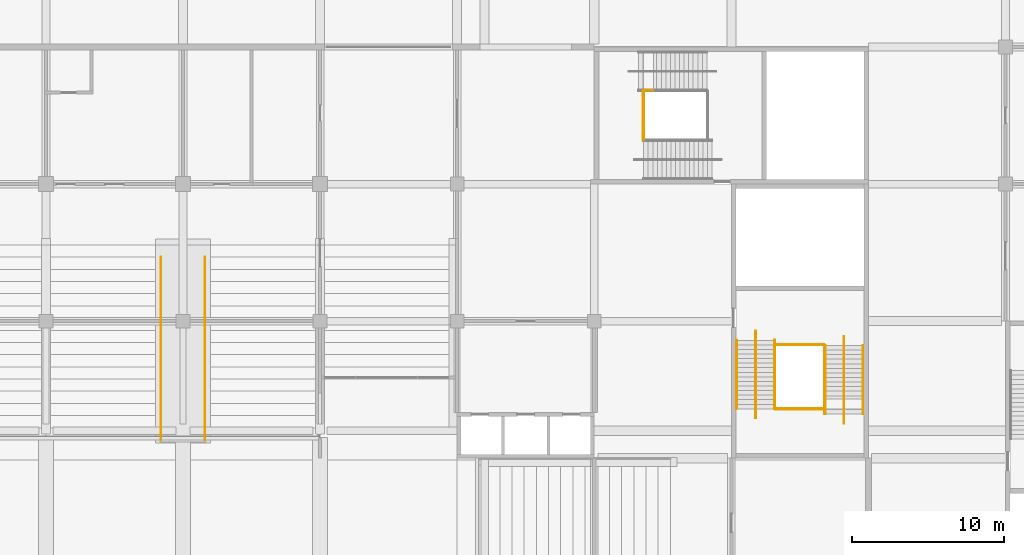
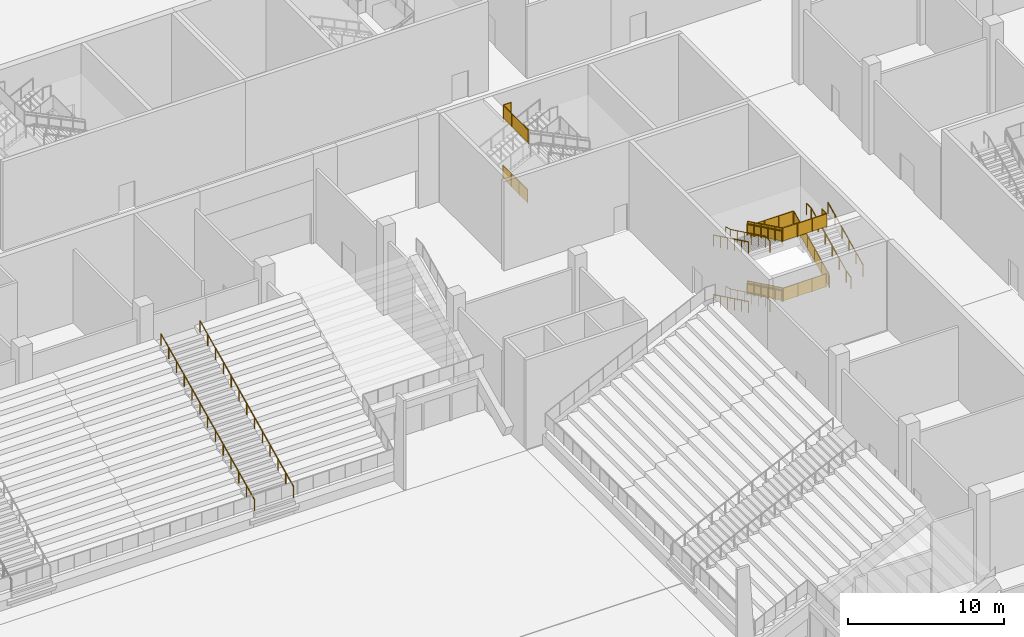
# One storey, part 78 of 92: 19 railings.
"""IFC4 building model written with IfcOpenShell, lengths in metres."""

from ifc_helpers import new_model, si_unit, direction, frame, origin, origin_2d, place, context, subcontext, project, spatial, polyline, circle, outline, extrude, material, type_object, element, save


model = new_model("IFC4")

# Units and contexts
model_context = context("Model", 3, precision=1e-05, world=origin(), true_north=direction((0.0, 1.0)))
body_context = subcontext(model_context, "Body", "Model", "MODEL_VIEW")
ifc_project = project(units=[si_unit("LENGTHUNIT", "METRE"), si_unit("AREAUNIT", "SQUARE_METRE"), si_unit("VOLUMEUNIT", "CUBIC_METRE"), si_unit("PLANEANGLEUNIT", "RADIAN"), si_unit("MASSUNIT", "GRAM", prefix="KILO")], contexts=[model_context])

# Site, building, storey
site_placement = place(None, origin())
site = spatial("IfcSite", under=ifc_project, at=site_placement, CompositionType="ELEMENT")
building_placement = place(site_placement, origin())
building = spatial("IfcBuilding", under=site, at=building_placement, Name="Silverbay Arena", CompositionType="ELEMENT")
storey_placement = place(building_placement, origin())
storey = spatial("IfcBuildingStorey", under=building, at=storey_placement, Name="L00", CompositionType="ELEMENT", Elevation=0.0)

# Railings
ifc_material_1 = material(Name="Stainless steel", Category="steel")
railing_type_1 = type_object("IfcRailingType", Name="Stair guard 1100", PredefinedType="GUARDRAIL", material=ifc_material_1)
railing_1_placement = place(storey_placement, frame((174.193115234375, 119.89990234375, 2.333251953125)))
element("IfcRailing", 1, at=railing_1_placement, inside=storey, type_object=railing_type_1, Name="Stair ST-NE1 L00 to L01 landing 1 guard", PredefinedType="GUARDRAIL", context=body_context, shape_type="SweptSolid", body=[
    extrude(circle(Radius=0.02392578125, at=origin_2d()), frame((0.0, 0.0, 1.076171875), z_axis=(0.0, 1.0, 0.0), x_axis=(-1.0, 0.0, 0.0)), (0.0, 0.0, 1.0), 3.2001953125),
    extrude(outline(polyline([(-0.008056640625, 0.050048828125), (1.07470703125, 0.050048828125), (1.07470703125, 1.052978515625), (-0.008056640625, 1.052978515625), (-0.008056640625, 0.050048828125)])), frame((-0.0029296875, 0.0, 0.0), z_axis=(1.0, 0.0, 0.0), x_axis=(0.0, 1.0, 0.0)), (0.0, 0.0, 1.0), 0.006103515625),
    extrude(outline(polyline([(-0.008056640625, 0.050048828125), (1.07470703125, 0.050048828125), (1.07470703125, 1.052978515625), (-0.008056640625, 1.052978515625), (-0.008056640625, 0.050048828125)])), frame((-0.0029296875, 1.066650390625, 0.0), z_axis=(1.0, 0.0, 0.0), x_axis=(0.0, 1.0, 0.0)), (0.0, 0.0, 1.0), 0.006103515625),
    extrude(outline(polyline([(-0.008056640625, 0.050048828125), (1.07470703125, 0.050048828125), (1.07470703125, 1.052978515625), (-0.008056640625, 1.052978515625), (-0.008056640625, 0.050048828125)])), frame((-0.0029296875, 2.133544921875, 0.0), z_axis=(1.0, 0.0, 0.0), x_axis=(0.0, 1.0, 0.0)), (0.0, 0.0, 1.0), 0.006103515625),
    extrude(circle(Radius=0.02099609375, at=origin_2d()), origin(), (0.0, 0.0, 1.0), 1.052001953125),
    extrude(circle(Radius=0.02099609375, at=origin_2d()), frame((0.0, 1.066650390625, 0.0)), (0.0, 0.0, 1.0), 1.052001953125),
    extrude(circle(Radius=0.02099609375, at=origin_2d()), frame((0.0, 2.133544921875, 0.0)), (0.0, 0.0, 1.0), 1.052001953125),
    extrude(circle(Radius=0.02099609375, at=origin_2d()), frame((0.0, 3.2001953125, 0.0)), (0.0, 0.0, 1.0), 1.052001953125),
])
railing_2_placement = place(storey_placement, frame((174.85009765625, 123.14990234375, 7.0)))
element("IfcRailing", 2, at=railing_2_placement, inside=storey, type_object=railing_type_1, Name="Stair ST-NE1 L00 to L01 landing 3 guard", PredefinedType="GUARDRAIL", context=body_context, shape_type="SweptSolid", body=[
    extrude(circle(Radius=0.02392578125, at=origin_2d()), frame((0.0, 0.0, 1.076171875), z_axis=(-1.0, 0.0, 0.0), x_axis=(0.0, -1.0, 0.0)), (0.0, 0.0, 1.0), 0.60693359375),
    extrude(outline(polyline([(-0.008056640625, 0.050048828125), (0.614990234375, 0.050048828125), (0.614990234375, 1.052978515625), (-0.008056640625, 1.052978515625), (-0.008056640625, 0.050048828125)])), frame((0.0, -0.0029296875, 0.0), z_axis=(0.0, 1.0, 0.0), x_axis=(-1.0, 0.0, 0.0)), (0.0, 0.0, 1.0), 0.006103515625),
    extrude(circle(Radius=0.02392578125, at=origin_2d()), frame((-0.60693359375, 0.0, 1.076171875), z_axis=(0.0, -1.0, 0.0), x_axis=(1.0, 0.0, 0.0)), (0.0, 0.0, 1.0), 3.25),
    extrude(outline(polyline([(-0.008056640625, 0.050048828125), (1.09130859375, 0.050048828125), (1.09130859375, 1.052978515625), (-0.008056640625, 1.052978515625), (-0.008056640625, 0.050048828125)])), frame((-0.60400390625, 0.0, 0.0), z_axis=(-1.0, 0.0, 0.0), x_axis=(0.0, -1.0, 0.0)), (0.0, 0.0, 1.0), 0.006103515625),
    extrude(outline(polyline([(-0.008056640625, 0.050048828125), (1.09130859375, 0.050048828125), (1.09130859375, 1.052978515625), (-0.008056640625, 1.052978515625), (-0.008056640625, 0.050048828125)])), frame((-0.60400390625, -1.083251953125, 0.0), z_axis=(-1.0, 0.0, 0.0), x_axis=(0.0, -1.0, 0.0)), (0.0, 0.0, 1.0), 0.006103515625),
    extrude(outline(polyline([(-0.008056640625, 0.050048828125), (1.09130859375, 0.050048828125), (1.09130859375, 1.052978515625), (-0.008056640625, 1.052978515625), (-0.008056640625, 0.050048828125)])), frame((-0.60400390625, -2.166748046875, 0.0), z_axis=(-1.0, 0.0, 0.0), x_axis=(0.0, -1.0, 0.0)), (0.0, 0.0, 1.0), 0.006103515625),
    extrude(circle(Radius=0.02099609375, at=origin_2d()), origin(), (0.0, 0.0, 1.0), 1.052001953125),
    extrude(circle(Radius=0.02099609375, at=origin_2d()), frame((-0.60693359375, 0.0, 0.0)), (0.0, 0.0, 1.0), 1.052001953125),
    extrude(circle(Radius=0.02099609375, at=origin_2d()), frame((-0.60693359375, -1.083251953125, 0.0)), (0.0, 0.0, 1.0), 1.052001953125),
    extrude(circle(Radius=0.02099609375, at=origin_2d()), frame((-0.60693359375, -2.166748046875, 0.0)), (0.0, 0.0, 1.0), 1.052001953125),
    extrude(circle(Radius=0.02099609375, at=origin_2d()), frame((-0.60693359375, -3.25, 0.0)), (0.0, 0.0, 1.0), 1.052001953125),
])
railing_3_placement = place(storey_placement, frame((182.875, 106.7431640625, 0.145751953125)))
element("IfcRailing", 3, at=railing_3_placement, inside=storey, type_object=railing_type_1, Name="Stair ST-NE2 L00 to L01 flight 1 guard right", PredefinedType="GUARDRAIL", context=body_context, shape_type="SweptSolid", body=[
    extrude(circle(Radius=0.02392578125, at=origin_2d()), frame((0.0, 0.0, 1.076171875), z_axis=(0.0, -0.899367854138, 0.437192706873), x_axis=(1.0, 0.0, 0.0)), (0.0, 0.0, 1.0), 5.00341796875),
    extrude(outline(polyline([(-0.008056640625, 0.046142578125), (0.907958984375, 0.491455078125), (0.907958984375, 1.494384765625), (-0.008056640625, 1.049072265625), (-0.008056640625, 0.046142578125)])), frame((0.0029296875, 0.0, 0.0), z_axis=(-1.0, 0.0, 0.0), x_axis=(0.0, -1.0, 0.0)), (0.0, 0.0, 1.0), 0.006103515625),
    extrude(outline(polyline([(-0.008056640625, 0.483642578125), (0.907958984375, 0.928955078125), (0.907958984375, 1.931884765625), (-0.008056640625, 1.486572265625), (-0.008056640625, 0.483642578125)])), frame((0.0029296875, -0.89990234375, 0.0), z_axis=(-1.0, 0.0, 0.0), x_axis=(0.0, -1.0, 0.0)), (0.0, 0.0, 1.0), 0.006103515625),
    extrude(outline(polyline([(-0.008056640625, 0.921142578125), (0.907958984375, 1.366455078125), (0.907958984375, 2.369384765625), (-0.008056640625, 1.924072265625), (-0.008056640625, 0.921142578125)])), frame((0.0029296875, -1.800048828125, 0.0), z_axis=(-1.0, 0.0, 0.0), x_axis=(0.0, -1.0, 0.0)), (0.0, 0.0, 1.0), 0.006103515625),
    extrude(outline(polyline([(-0.008056640625, 1.358642578125), (0.907958984375, 1.803955078125), (0.907958984375, 2.806884765625), (-0.008056640625, 2.361572265625), (-0.008056640625, 1.358642578125)])), frame((0.0029296875, -2.699951171875, 0.0), z_axis=(-1.0, 0.0, 0.0), x_axis=(0.0, -1.0, 0.0)), (0.0, 0.0, 1.0), 0.006103515625),
    extrude(outline(polyline([(-0.008056640625, 1.796142578125), (0.907958984375, 2.241455078125), (0.907958984375, 3.244384765625), (-0.008056640625, 2.799072265625), (-0.008056640625, 1.796142578125)])), frame((0.0029296875, -3.60009765625, 0.0), z_axis=(-1.0, 0.0, 0.0), x_axis=(0.0, -1.0, 0.0)), (0.0, 0.0, 1.0), 0.006103515625),
    extrude(circle(Radius=0.02099609375, at=origin_2d()), origin(), (0.0, 0.0, 1.0), 1.052001953125),
    extrude(circle(Radius=0.02099609375, at=origin_2d()), frame((0.0, -0.89990234375, 0.4375)), (0.0, 0.0, 1.0), 1.052001953125),
    extrude(circle(Radius=0.02099609375, at=origin_2d()), frame((0.0, -1.800048828125, 0.875)), (0.0, 0.0, 1.0), 1.052001953125),
    extrude(circle(Radius=0.02099609375, at=origin_2d()), frame((0.0, -2.699951171875, 1.3125)), (0.0, 0.0, 1.0), 1.052001953125),
    extrude(circle(Radius=0.02099609375, at=origin_2d()), frame((0.0, -3.60009765625, 1.75)), (0.0, 0.0, 1.0), 1.052001953125),
    extrude(circle(Radius=0.02099609375, at=origin_2d()), frame((0.0, -4.5, 2.1875)), (0.0, 0.0, 1.0), 1.052001953125),
])
railing_4_placement = place(storey_placement, frame((186.125, 101.89990234375, 2.479248046875)))
element("IfcRailing", 4, at=railing_4_placement, inside=storey, type_object=railing_type_1, Name="Stair ST-NE2 L00 to L01 flight 2 guard left", PredefinedType="GUARDRAIL", context=body_context, shape_type="SweptSolid", body=[
    extrude(circle(Radius=0.02392578125, at=origin_2d()), frame((0.0, 0.0, 1.076171875), z_axis=(0.0, 0.899367854138, 0.437192706873), x_axis=(-1.0, 0.0, 0.0)), (0.0, 0.0, 1.0), 5.00341796875),
    extrude(outline(polyline([(-0.008056640625, 0.046142578125), (0.907958984375, 0.491455078125), (0.907958984375, 1.494384765625), (-0.008056640625, 1.049072265625), (-0.008056640625, 0.046142578125)])), frame((-0.0029296875, 0.0, 0.0), z_axis=(1.0, 0.0, 0.0), x_axis=(0.0, 1.0, 0.0)), (0.0, 0.0, 1.0), 0.006103515625),
    extrude(outline(polyline([(-0.008056640625, 0.483642578125), (0.907958984375, 0.928955078125), (0.907958984375, 1.931884765625), (-0.008056640625, 1.486572265625), (-0.008056640625, 0.483642578125)])), frame((-0.0029296875, 0.89990234375, 0.0), z_axis=(1.0, 0.0, 0.0), x_axis=(0.0, 1.0, 0.0)), (0.0, 0.0, 1.0), 0.006103515625),
    extrude(outline(polyline([(-0.008056640625, 0.921142578125), (0.907958984375, 1.366455078125), (0.907958984375, 2.369384765625), (-0.008056640625, 1.924072265625), (-0.008056640625, 0.921142578125)])), frame((-0.0029296875, 1.800048828125, 0.0), z_axis=(1.0, 0.0, 0.0), x_axis=(0.0, 1.0, 0.0)), (0.0, 0.0, 1.0), 0.006103515625),
    extrude(outline(polyline([(-0.008056640625, 1.358642578125), (0.907958984375, 1.803955078125), (0.907958984375, 2.806884765625), (-0.008056640625, 2.361572265625), (-0.008056640625, 1.358642578125)])), frame((-0.0029296875, 2.699951171875, 0.0), z_axis=(1.0, 0.0, 0.0), x_axis=(0.0, 1.0, 0.0)), (0.0, 0.0, 1.0), 0.006103515625),
    extrude(outline(polyline([(-0.008056640625, 1.796142578125), (0.907958984375, 2.241455078125), (0.907958984375, 3.244384765625), (-0.008056640625, 2.799072265625), (-0.008056640625, 1.796142578125)])), frame((-0.0029296875, 3.60009765625, 0.0), z_axis=(1.0, 0.0, 0.0), x_axis=(0.0, 1.0, 0.0)), (0.0, 0.0, 1.0), 0.006103515625),
    extrude(circle(Radius=0.02099609375, at=origin_2d()), origin(), (0.0, 0.0, 1.0), 1.052001953125),
    extrude(circle(Radius=0.02099609375, at=origin_2d()), frame((0.0, 0.89990234375, 0.4375)), (0.0, 0.0, 1.0), 1.052001953125),
    extrude(circle(Radius=0.02099609375, at=origin_2d()), frame((0.0, 1.800048828125, 0.875)), (0.0, 0.0, 1.0), 1.052001953125),
    extrude(circle(Radius=0.02099609375, at=origin_2d()), frame((0.0, 2.699951171875, 1.3125)), (0.0, 0.0, 1.0), 1.052001953125),
    extrude(circle(Radius=0.02099609375, at=origin_2d()), frame((0.0, 3.60009765625, 1.75)), (0.0, 0.0, 1.0), 1.052001953125),
    extrude(circle(Radius=0.02099609375, at=origin_2d()), frame((0.0, 4.5, 2.1875)), (0.0, 0.0, 1.0), 1.052001953125),
])
railing_5_placement = place(storey_placement, frame((182.875, 106.7431640625, 4.8125)))
element("IfcRailing", 5, at=railing_5_placement, inside=storey, type_object=railing_type_1, Name="Stair ST-NE2 L00 to L01 flight 3 guard right", PredefinedType="GUARDRAIL", context=body_context, shape_type="SweptSolid", body=[
    extrude(circle(Radius=0.02392578125, at=origin_2d()), frame((0.0, 0.0, 1.076171875), z_axis=(0.0, -0.899367854138, 0.437192706873), x_axis=(1.0, 0.0, 0.0)), (0.0, 0.0, 1.0), 5.00341796875),
    extrude(outline(polyline([(-0.008056640625, 0.046142578125), (0.907958984375, 0.491455078125), (0.907958984375, 1.494384765625), (-0.008056640625, 1.049072265625), (-0.008056640625, 0.046142578125)])), frame((0.0029296875, 0.0, 0.0), z_axis=(-1.0, 0.0, 0.0), x_axis=(0.0, -1.0, 0.0)), (0.0, 0.0, 1.0), 0.006103515625),
    extrude(outline(polyline([(-0.008056640625, 0.483642578125), (0.907958984375, 0.928955078125), (0.907958984375, 1.931884765625), (-0.008056640625, 1.486572265625), (-0.008056640625, 0.483642578125)])), frame((0.0029296875, -0.89990234375, 0.0), z_axis=(-1.0, 0.0, 0.0), x_axis=(0.0, -1.0, 0.0)), (0.0, 0.0, 1.0), 0.006103515625),
    extrude(outline(polyline([(-0.008056640625, 0.921142578125), (0.907958984375, 1.366455078125), (0.907958984375, 2.369384765625), (-0.008056640625, 1.924072265625), (-0.008056640625, 0.921142578125)])), frame((0.0029296875, -1.800048828125, 0.0), z_axis=(-1.0, 0.0, 0.0), x_axis=(0.0, -1.0, 0.0)), (0.0, 0.0, 1.0), 0.006103515625),
    extrude(outline(polyline([(-0.008056640625, 1.358642578125), (0.907958984375, 1.803955078125), (0.907958984375, 2.806884765625), (-0.008056640625, 2.361572265625), (-0.008056640625, 1.358642578125)])), frame((0.0029296875, -2.699951171875, 0.0), z_axis=(-1.0, 0.0, 0.0), x_axis=(0.0, -1.0, 0.0)), (0.0, 0.0, 1.0), 0.006103515625),
    extrude(outline(polyline([(-0.008056640625, 1.796142578125), (0.907958984375, 2.241455078125), (0.907958984375, 3.244384765625), (-0.008056640625, 2.799072265625), (-0.008056640625, 1.796142578125)])), frame((0.0029296875, -3.60009765625, 0.0), z_axis=(-1.0, 0.0, 0.0), x_axis=(0.0, -1.0, 0.0)), (0.0, 0.0, 1.0), 0.006103515625),
    extrude(circle(Radius=0.02099609375, at=origin_2d()), origin(), (0.0, 0.0, 1.0), 1.052001953125),
    extrude(circle(Radius=0.02099609375, at=origin_2d()), frame((0.0, -0.89990234375, 0.4375)), (0.0, 0.0, 1.0), 1.052001953125),
    extrude(circle(Radius=0.02099609375, at=origin_2d()), frame((0.0, -1.800048828125, 0.875)), (0.0, 0.0, 1.0), 1.052001953125),
    extrude(circle(Radius=0.02099609375, at=origin_2d()), frame((0.0, -2.699951171875, 1.3125)), (0.0, 0.0, 1.0), 1.052001953125),
    extrude(circle(Radius=0.02099609375, at=origin_2d()), frame((0.0, -3.60009765625, 1.75)), (0.0, 0.0, 1.0), 1.052001953125),
    extrude(circle(Radius=0.02099609375, at=origin_2d()), frame((0.0, -4.5, 2.1875)), (0.0, 0.0, 1.0), 1.052001953125),
])
for number, where, name in (
    (6, (182.89990234375, 102.193115234375, 2.333251953125), "Stair ST-NE2 L00 to L01 landing 1 guard"),
    (7, (182.89990234375, 106.449951171875, 4.666748046875), "Stair ST-NE2 L00 to L01 landing 2 guard"),
):
    element("IfcRailing", number, at=place(storey_placement, frame(where)), inside=storey, type_object=railing_type_1, Name=name, PredefinedType="GUARDRAIL", context=body_context, shape_type="SweptSolid", body=[
        extrude(circle(Radius=0.02392578125, at=origin_2d()), frame((0.0, 0.0, 1.076171875), z_axis=(1.0, 0.0, 0.0), x_axis=(0.0, 1.0, 0.0)), (0.0, 0.0, 1.0), 3.2001953125),
        extrude(outline(polyline([(-0.008056640625, 0.050048828125), (1.07470703125, 0.050048828125), (1.07470703125, 1.052978515625), (-0.008056640625, 1.052978515625), (-0.008056640625, 0.050048828125)])), frame((0.0, 0.0029296875, 0.0), z_axis=(0.0, -1.0, 0.0), x_axis=(1.0, 0.0, 0.0)), (0.0, 0.0, 1.0), 0.006103515625),
        extrude(outline(polyline([(-0.008056640625, 0.050048828125), (1.07470703125, 0.050048828125), (1.07470703125, 1.052978515625), (-0.008056640625, 1.052978515625), (-0.008056640625, 0.050048828125)])), frame((1.066650390625, 0.0029296875, 0.0), z_axis=(0.0, -1.0, 0.0), x_axis=(1.0, 0.0, 0.0)), (0.0, 0.0, 1.0), 0.006103515625),
        extrude(outline(polyline([(-0.008056640625, 0.050048828125), (1.07470703125, 0.050048828125), (1.07470703125, 1.052978515625), (-0.008056640625, 1.052978515625), (-0.008056640625, 0.050048828125)])), frame((2.133544921875, 0.0029296875, 0.0), z_axis=(0.0, -1.0, 0.0), x_axis=(1.0, 0.0, 0.0)), (0.0, 0.0, 1.0), 0.006103515625),
        extrude(circle(Radius=0.02099609375, at=origin_2d()), origin(), (0.0, 0.0, 1.0), 1.052001953125),
        extrude(circle(Radius=0.02099609375, at=origin_2d()), frame((1.066650390625, 0.0, 0.0)), (0.0, 0.0, 1.0), 1.052001953125),
        extrude(circle(Radius=0.02099609375, at=origin_2d()), frame((2.133544921875, 0.0, 0.0)), (0.0, 0.0, 1.0), 1.052001953125),
        extrude(circle(Radius=0.02099609375, at=origin_2d()), frame((3.2001953125, 0.0, 0.0)), (0.0, 0.0, 1.0), 1.052001953125),
    ])
railing_6_placement = place(storey_placement, frame((186.14990234375, 102.85009765625, 7.0)))
element("IfcRailing", 8, at=railing_6_placement, inside=storey, type_object=railing_type_1, Name="Stair ST-NE2 L00 to L01 landing 3 guard", PredefinedType="GUARDRAIL", context=body_context, shape_type="SweptSolid", body=[
    extrude(circle(Radius=0.02392578125, at=origin_2d()), frame((0.0, 0.0, 1.076171875), z_axis=(0.0, -1.0, 0.0), x_axis=(1.0, 0.0, 0.0)), (0.0, 0.0, 1.0), 0.60693359375),
    extrude(outline(polyline([(-0.008056640625, 0.050048828125), (0.614990234375, 0.050048828125), (0.614990234375, 1.052978515625), (-0.008056640625, 1.052978515625), (-0.008056640625, 0.050048828125)])), frame((0.0029296875, 0.0, 0.0), z_axis=(-1.0, 0.0, 0.0), x_axis=(0.0, -1.0, 0.0)), (0.0, 0.0, 1.0), 0.006103515625),
    extrude(circle(Radius=0.02392578125, at=origin_2d()), frame((0.0, -0.60693359375, 1.076171875), z_axis=(-1.0, 0.0, 0.0), x_axis=(0.0, -1.0, 0.0)), (0.0, 0.0, 1.0), 3.25),
    extrude(outline(polyline([(-0.008056640625, 0.050048828125), (1.09130859375, 0.050048828125), (1.09130859375, 1.052978515625), (-0.008056640625, 1.052978515625), (-0.008056640625, 0.050048828125)])), frame((0.0, -0.60986328125, 0.0), z_axis=(0.0, 1.0, 0.0), x_axis=(-1.0, 0.0, 0.0)), (0.0, 0.0, 1.0), 0.006103515625),
    extrude(outline(polyline([(-0.008056640625, 0.050048828125), (1.09130859375, 0.050048828125), (1.09130859375, 1.052978515625), (-0.008056640625, 1.052978515625), (-0.008056640625, 0.050048828125)])), frame((-1.083251953125, -0.60986328125, 0.0), z_axis=(0.0, 1.0, 0.0), x_axis=(-1.0, 0.0, 0.0)), (0.0, 0.0, 1.0), 0.006103515625),
    extrude(outline(polyline([(-0.008056640625, 0.050048828125), (1.09130859375, 0.050048828125), (1.09130859375, 1.052978515625), (-0.008056640625, 1.052978515625), (-0.008056640625, 0.050048828125)])), frame((-2.166748046875, -0.60986328125, 0.0), z_axis=(0.0, 1.0, 0.0), x_axis=(-1.0, 0.0, 0.0)), (0.0, 0.0, 1.0), 0.006103515625),
    extrude(circle(Radius=0.02099609375, at=origin_2d()), origin(), (0.0, 0.0, 1.0), 1.052001953125),
    extrude(circle(Radius=0.02099609375, at=origin_2d()), frame((0.0, -0.60693359375, 0.0)), (0.0, 0.0, 1.0), 1.052001953125),
    extrude(circle(Radius=0.02099609375, at=origin_2d()), frame((-1.083251953125, -0.60693359375, 0.0)), (0.0, 0.0, 1.0), 1.052001953125),
    extrude(circle(Radius=0.02099609375, at=origin_2d()), frame((-2.166748046875, -0.60693359375, 0.0)), (0.0, 0.0, 1.0), 1.052001953125),
    extrude(circle(Radius=0.02099609375, at=origin_2d()), frame((-3.25, -0.60693359375, 0.0)), (0.0, 0.0, 1.0), 1.052001953125),
])
ifc_material_2 = material(Name="Stainless steel", Category="steel")
railing_type_2 = type_object("IfcRailingType", Name="Stair handrail 900", PredefinedType="HANDRAIL", material=ifc_material_2)
for number, where, name in (
    (9, (180.35009765625, 106.7431640625, 0.145751953125), "Stair ST-NE2 L00 to L01 flight 1 handrail left"),
    (10, (182.8359375, 106.7431640625, 0.145751953125), "Stair ST-NE2 L00 to L01 flight 1 handrail right"),
):
    element("IfcRailing", number, at=place(storey_placement, frame(where)), inside=storey, type_object=railing_type_2, Name=name, PredefinedType="HANDRAIL", context=body_context, shape_type="SweptSolid", body=[
        extrude(circle(Radius=0.02392578125, at=origin_2d()), frame((0.0, 0.0, 0.8759765625), z_axis=(0.0, -0.899367854138, 0.437192706873), x_axis=(1.0, 0.0, 0.0)), (0.0, 0.0, 1.0), 5.00341796875),
        extrude(circle(Radius=0.02099609375, at=origin_2d()), origin(), (0.0, 0.0, 1.0), 0.851806640625),
        extrude(circle(Radius=0.02099609375, at=origin_2d()), frame((0.0, -0.89990234375, 0.4375)), (0.0, 0.0, 1.0), 0.851806640625),
        extrude(circle(Radius=0.02099609375, at=origin_2d()), frame((0.0, -1.800048828125, 0.875)), (0.0, 0.0, 1.0), 0.851806640625),
        extrude(circle(Radius=0.02099609375, at=origin_2d()), frame((0.0, -2.699951171875, 1.3125)), (0.0, 0.0, 1.0), 0.851806640625),
        extrude(circle(Radius=0.02099609375, at=origin_2d()), frame((0.0, -3.60009765625, 1.75)), (0.0, 0.0, 1.0), 0.851806640625),
        extrude(circle(Radius=0.02099609375, at=origin_2d()), frame((0.0, -4.5, 2.1875)), (0.0, 0.0, 1.0), 0.851806640625),
    ])
railing_7_placement = place(storey_placement, frame((181.60009765625, 107.343017578125, 0.0)))
element("IfcRailing", 11, at=railing_7_placement, inside=storey, type_object=railing_type_2, Name="Stair ST-NE2 L00 to L01 flight 1 central handrail", PredefinedType="HANDRAIL", context=body_context, shape_type="SweptSolid", body=[
    extrude(circle(Radius=0.02392578125, at=origin_2d()), frame((0.0, 0.0, 0.8759765625), z_axis=(0.0, -0.971726487806, 0.23610936639), x_axis=(1.0, 0.0, 0.0)), (0.0, 0.0, 1.0), 0.6171875),
    extrude(circle(Radius=0.02392578125, at=origin_2d()), frame((0.0, -0.599853515625, 1.021484375), z_axis=(0.0, -0.899367854138, 0.437192706873), x_axis=(1.0, 0.0, 0.0)), (0.0, 0.0, 1.0), 5.00341796875),
    extrude(circle(Radius=0.02392578125, at=origin_2d()), frame((0.0, -5.099853515625, 3.208984375), z_axis=(0.0, -1.0, 0.0), x_axis=(1.0, 0.0, 0.0)), (0.0, 0.0, 1.0), 0.60009765625),
    extrude(circle(Radius=0.02099609375, at=origin_2d()), origin(), (0.0, 0.0, 1.0), 0.851806640625),
    extrude(circle(Radius=0.02099609375, at=origin_2d()), frame((0.0, -0.599853515625, 0.145751953125)), (0.0, 0.0, 1.0), 0.851806640625),
    extrude(circle(Radius=0.02099609375, at=origin_2d()), frame((0.0, -1.499755859375, 0.583251953125)), (0.0, 0.0, 1.0), 0.851806640625),
    extrude(circle(Radius=0.02099609375, at=origin_2d()), frame((0.0, -2.39990234375, 1.020751953125)), (0.0, 0.0, 1.0), 0.851806640625),
    extrude(circle(Radius=0.02099609375, at=origin_2d()), frame((0.0, -3.2998046875, 1.458251953125)), (0.0, 0.0, 1.0), 0.851806640625),
    extrude(circle(Radius=0.02099609375, at=origin_2d()), frame((0.0, -4.199951171875, 1.895751953125)), (0.0, 0.0, 1.0), 0.851806640625),
    extrude(circle(Radius=0.02099609375, at=origin_2d()), frame((0.0, -5.099853515625, 2.333251953125)), (0.0, 0.0, 1.0), 0.851806640625),
    extrude(circle(Radius=0.02099609375, at=origin_2d()), frame((0.0, -5.699951171875, 2.333251953125)), (0.0, 0.0, 1.0), 0.851806640625),
])
for number, where, name in (
    (12, (186.1640625, 101.89990234375, 2.479248046875), "Stair ST-NE2 L00 to L01 flight 2 handrail left"),
    (13, (188.64990234375, 101.89990234375, 2.479248046875), "Stair ST-NE2 L00 to L01 flight 2 handrail right"),
):
    element("IfcRailing", number, at=place(storey_placement, frame(where)), inside=storey, type_object=railing_type_2, Name=name, PredefinedType="HANDRAIL", context=body_context, shape_type="SweptSolid", body=[
        extrude(circle(Radius=0.02392578125, at=origin_2d()), frame((0.0, 0.0, 0.8759765625), z_axis=(0.0, 0.899367854138, 0.437192706873), x_axis=(-1.0, 0.0, 0.0)), (0.0, 0.0, 1.0), 5.00341796875),
        extrude(circle(Radius=0.02099609375, at=origin_2d()), origin(), (0.0, 0.0, 1.0), 0.851806640625),
        extrude(circle(Radius=0.02099609375, at=origin_2d()), frame((0.0, 0.89990234375, 0.4375)), (0.0, 0.0, 1.0), 0.851806640625),
        extrude(circle(Radius=0.02099609375, at=origin_2d()), frame((0.0, 1.800048828125, 0.875)), (0.0, 0.0, 1.0), 0.851806640625),
        extrude(circle(Radius=0.02099609375, at=origin_2d()), frame((0.0, 2.699951171875, 1.3125)), (0.0, 0.0, 1.0), 0.851806640625),
        extrude(circle(Radius=0.02099609375, at=origin_2d()), frame((0.0, 3.60009765625, 1.75)), (0.0, 0.0, 1.0), 0.851806640625),
        extrude(circle(Radius=0.02099609375, at=origin_2d()), frame((0.0, 4.5, 2.1875)), (0.0, 0.0, 1.0), 0.851806640625),
    ])
railing_8_placement = place(storey_placement, frame((187.39990234375, 101.300048828125, 2.333251953125)))
element("IfcRailing", 14, at=railing_8_placement, inside=storey, type_object=railing_type_2, Name="Stair ST-NE2 L00 to L01 flight 2 central handrail", PredefinedType="HANDRAIL", context=body_context, shape_type="SweptSolid", body=[
    extrude(circle(Radius=0.02392578125, at=origin_2d()), frame((0.0, 0.0, 0.8759765625), z_axis=(0.0, 0.971635685089, 0.236482759334), x_axis=(-1.0, 0.0, 0.0)), (0.0, 0.0, 1.0), 0.617431640625),
    extrude(circle(Radius=0.02392578125, at=origin_2d()), frame((0.0, 0.599853515625, 1.02197265625), z_axis=(0.0, 0.899367854138, 0.437192706873), x_axis=(-1.0, 0.0, 0.0)), (0.0, 0.0, 1.0), 5.00341796875),
    extrude(circle(Radius=0.02392578125, at=origin_2d()), frame((0.0, 5.099853515625, 3.20947265625), z_axis=(0.0, 1.0, 0.0), x_axis=(-1.0, 0.0, 0.0)), (0.0, 0.0, 1.0), 0.60009765625),
    extrude(circle(Radius=0.02099609375, at=origin_2d()), origin(), (0.0, 0.0, 1.0), 0.851806640625),
    extrude(circle(Radius=0.02099609375, at=origin_2d()), frame((0.0, 0.599853515625, 0.14599609375)), (0.0, 0.0, 1.0), 0.851806640625),
    extrude(circle(Radius=0.02099609375, at=origin_2d()), frame((0.0, 1.499755859375, 0.58349609375)), (0.0, 0.0, 1.0), 0.851806640625),
    extrude(circle(Radius=0.02099609375, at=origin_2d()), frame((0.0, 2.39990234375, 1.02099609375)), (0.0, 0.0, 1.0), 0.851806640625),
    extrude(circle(Radius=0.02099609375, at=origin_2d()), frame((0.0, 3.2998046875, 1.45849609375)), (0.0, 0.0, 1.0), 0.851806640625),
    extrude(circle(Radius=0.02099609375, at=origin_2d()), frame((0.0, 4.199951171875, 1.89599609375)), (0.0, 0.0, 1.0), 0.851806640625),
    extrude(circle(Radius=0.02099609375, at=origin_2d()), frame((0.0, 5.099853515625, 2.33349609375)), (0.0, 0.0, 1.0), 0.851806640625),
    extrude(circle(Radius=0.02099609375, at=origin_2d()), frame((0.0, 5.699951171875, 2.33349609375)), (0.0, 0.0, 1.0), 0.851806640625),
])
for number, where, name in (
    (15, (180.35009765625, 106.7431640625, 4.8125), "Stair ST-NE2 L00 to L01 flight 3 handrail left"),
    (16, (182.8359375, 106.7431640625, 4.8125), "Stair ST-NE2 L00 to L01 flight 3 handrail right"),
):
    element("IfcRailing", number, at=place(storey_placement, frame(where)), inside=storey, type_object=railing_type_2, Name=name, PredefinedType="HANDRAIL", context=body_context, shape_type="SweptSolid", body=[
        extrude(circle(Radius=0.02392578125, at=origin_2d()), frame((0.0, 0.0, 0.8759765625), z_axis=(0.0, -0.899367854138, 0.437192706873), x_axis=(1.0, 0.0, 0.0)), (0.0, 0.0, 1.0), 5.00341796875),
        extrude(circle(Radius=0.02099609375, at=origin_2d()), origin(), (0.0, 0.0, 1.0), 0.851806640625),
        extrude(circle(Radius=0.02099609375, at=origin_2d()), frame((0.0, -0.89990234375, 0.4375)), (0.0, 0.0, 1.0), 0.851806640625),
        extrude(circle(Radius=0.02099609375, at=origin_2d()), frame((0.0, -1.800048828125, 0.875)), (0.0, 0.0, 1.0), 0.851806640625),
        extrude(circle(Radius=0.02099609375, at=origin_2d()), frame((0.0, -2.699951171875, 1.3125)), (0.0, 0.0, 1.0), 0.851806640625),
        extrude(circle(Radius=0.02099609375, at=origin_2d()), frame((0.0, -3.60009765625, 1.75)), (0.0, 0.0, 1.0), 0.851806640625),
        extrude(circle(Radius=0.02099609375, at=origin_2d()), frame((0.0, -4.5, 2.1875)), (0.0, 0.0, 1.0), 0.851806640625),
    ])
railing_9_placement = place(storey_placement, frame((181.60009765625, 107.343017578125, 4.666748046875)))
element("IfcRailing", 17, at=railing_9_placement, inside=storey, type_object=railing_type_2, Name="Stair ST-NE2 L00 to L01 flight 3 central handrail", PredefinedType="HANDRAIL", context=body_context, shape_type="SweptSolid", body=[
    extrude(circle(Radius=0.02392578125, at=origin_2d()), frame((0.0, 0.0, 0.8759765625), z_axis=(0.0, -0.971726487806, 0.23610936639), x_axis=(1.0, 0.0, 0.0)), (0.0, 0.0, 1.0), 0.6171875),
    extrude(circle(Radius=0.02392578125, at=origin_2d()), frame((0.0, -0.599853515625, 1.021484375), z_axis=(0.0, -0.899367854138, 0.437192706873), x_axis=(1.0, 0.0, 0.0)), (0.0, 0.0, 1.0), 5.00341796875),
    extrude(circle(Radius=0.02392578125, at=origin_2d()), frame((0.0, -5.099853515625, 3.208984375), z_axis=(0.0, -1.0, 0.0), x_axis=(1.0, 0.0, 0.0)), (0.0, 0.0, 1.0), 0.60009765625),
    extrude(circle(Radius=0.02099609375, at=origin_2d()), origin(), (0.0, 0.0, 1.0), 0.851806640625),
    extrude(circle(Radius=0.02099609375, at=origin_2d()), frame((0.0, -0.599853515625, 0.145751953125)), (0.0, 0.0, 1.0), 0.851806640625),
    extrude(circle(Radius=0.02099609375, at=origin_2d()), frame((0.0, -1.499755859375, 0.583251953125)), (0.0, 0.0, 1.0), 0.851806640625),
    extrude(circle(Radius=0.02099609375, at=origin_2d()), frame((0.0, -2.39990234375, 1.020751953125)), (0.0, 0.0, 1.0), 0.851806640625),
    extrude(circle(Radius=0.02099609375, at=origin_2d()), frame((0.0, -3.2998046875, 1.458251953125)), (0.0, 0.0, 1.0), 0.851806640625),
    extrude(circle(Radius=0.02099609375, at=origin_2d()), frame((0.0, -4.199951171875, 1.895751953125)), (0.0, 0.0, 1.0), 0.851806640625),
    extrude(circle(Radius=0.02099609375, at=origin_2d()), frame((0.0, -5.099853515625, 2.333251953125)), (0.0, 0.0, 1.0), 0.851806640625),
    extrude(circle(Radius=0.02099609375, at=origin_2d()), frame((0.0, -5.699951171875, 2.333251953125)), (0.0, 0.0, 1.0), 0.851806640625),
])
railing_10_placement = place(storey_placement, frame((142.550048828125, 100.199951171875, 1.300048828125)))
element("IfcRailing", 18, at=railing_10_placement, inside=storey, type_object=railing_type_2, Name="Vomitory stair V06 handrail left", PredefinedType="HANDRAIL", context=body_context, shape_type="SweptSolid", body=[
    extrude(circle(Radius=0.02392578125, at=origin_2d()), frame((0.0, 0.0, 0.8759765625), z_axis=(0.0, 0.903278928798, 0.429053815727), x_axis=(-1.0, 0.0, 0.0)), (0.0, 0.0, 1.0), 13.284912109375),
    extrude(circle(Radius=0.02099609375, at=origin_2d()), origin(), (0.0, 0.0, 1.0), 0.851806640625),
    extrude(circle(Radius=0.02099609375, at=origin_2d()), frame((0.0, 1.0, 0.47509765625)), (0.0, 0.0, 1.0), 0.851806640625),
    extrude(circle(Radius=0.02099609375, at=origin_2d()), frame((0.0, 2.0, 0.949951171875)), (0.0, 0.0, 1.0), 0.851806640625),
    extrude(circle(Radius=0.02099609375, at=origin_2d()), frame((0.0, 3.0, 1.425048828125)), (0.0, 0.0, 1.0), 0.851806640625),
    extrude(circle(Radius=0.02099609375, at=origin_2d()), frame((0.0, 4.0, 1.89990234375)), (0.0, 0.0, 1.0), 0.851806640625),
    extrude(circle(Radius=0.02099609375, at=origin_2d()), frame((0.0, 5.0, 2.375)), (0.0, 0.0, 1.0), 0.851806640625),
    extrude(circle(Radius=0.02099609375, at=origin_2d()), frame((0.0, 6.0, 2.85009765625)), (0.0, 0.0, 1.0), 0.851806640625),
    extrude(circle(Radius=0.02099609375, at=origin_2d()), frame((0.0, 7.0, 3.324951171875)), (0.0, 0.0, 1.0), 0.851806640625),
    extrude(circle(Radius=0.02099609375, at=origin_2d()), frame((0.0, 8.0, 3.800048828125)), (0.0, 0.0, 1.0), 0.851806640625),
    extrude(circle(Radius=0.02099609375, at=origin_2d()), frame((0.0, 9.0, 4.27490234375)), (0.0, 0.0, 1.0), 0.851806640625),
    extrude(circle(Radius=0.02099609375, at=origin_2d()), frame((0.0, 10.0, 4.75)), (0.0, 0.0, 1.0), 0.851806640625),
    extrude(circle(Radius=0.02099609375, at=origin_2d()), frame((0.0, 11.0, 5.224853515625)), (0.0, 0.0, 1.0), 0.851806640625),
    extrude(circle(Radius=0.02099609375, at=origin_2d()), frame((0.0, 12.0, 5.699951171875)), (0.0, 0.0, 1.0), 0.851806640625),
])
railing_11_placement = place(storey_placement, frame((145.449951171875, 100.199951171875, 1.300048828125)))
element("IfcRailing", 19, at=railing_11_placement, inside=storey, type_object=railing_type_2, Name="Vomitory stair V06 handrail right", PredefinedType="HANDRAIL", context=body_context, shape_type="SweptSolid", body=[
    extrude(circle(Radius=0.02392578125, at=origin_2d()), frame((0.0, 0.0, 0.8759765625), z_axis=(0.0, 0.903278928798, 0.429053815727), x_axis=(-1.0, 0.0, 0.0)), (0.0, 0.0, 1.0), 13.284912109375),
    extrude(circle(Radius=0.02099609375, at=origin_2d()), origin(), (0.0, 0.0, 1.0), 0.851806640625),
    extrude(circle(Radius=0.02099609375, at=origin_2d()), frame((0.0, 1.0, 0.47509765625)), (0.0, 0.0, 1.0), 0.851806640625),
    extrude(circle(Radius=0.02099609375, at=origin_2d()), frame((0.0, 2.0, 0.949951171875)), (0.0, 0.0, 1.0), 0.851806640625),
    extrude(circle(Radius=0.02099609375, at=origin_2d()), frame((0.0, 3.0, 1.425048828125)), (0.0, 0.0, 1.0), 0.851806640625),
    extrude(circle(Radius=0.02099609375, at=origin_2d()), frame((0.0, 4.0, 1.89990234375)), (0.0, 0.0, 1.0), 0.851806640625),
    extrude(circle(Radius=0.02099609375, at=origin_2d()), frame((0.0, 5.0, 2.375)), (0.0, 0.0, 1.0), 0.851806640625),
    extrude(circle(Radius=0.02099609375, at=origin_2d()), frame((0.0, 6.0, 2.85009765625)), (0.0, 0.0, 1.0), 0.851806640625),
    extrude(circle(Radius=0.02099609375, at=origin_2d()), frame((0.0, 7.0, 3.324951171875)), (0.0, 0.0, 1.0), 0.851806640625),
    extrude(circle(Radius=0.02099609375, at=origin_2d()), frame((0.0, 8.0, 3.800048828125)), (0.0, 0.0, 1.0), 0.851806640625),
    extrude(circle(Radius=0.02099609375, at=origin_2d()), frame((0.0, 9.0, 4.27490234375)), (0.0, 0.0, 1.0), 0.851806640625),
    extrude(circle(Radius=0.02099609375, at=origin_2d()), frame((0.0, 10.0, 4.75)), (0.0, 0.0, 1.0), 0.851806640625),
    extrude(circle(Radius=0.02099609375, at=origin_2d()), frame((0.0, 11.0, 5.224853515625)), (0.0, 0.0, 1.0), 0.851806640625),
    extrude(circle(Radius=0.02099609375, at=origin_2d()), frame((0.0, 12.0, 5.699951171875)), (0.0, 0.0, 1.0), 0.851806640625),
])

save(model, "model.ifc")
